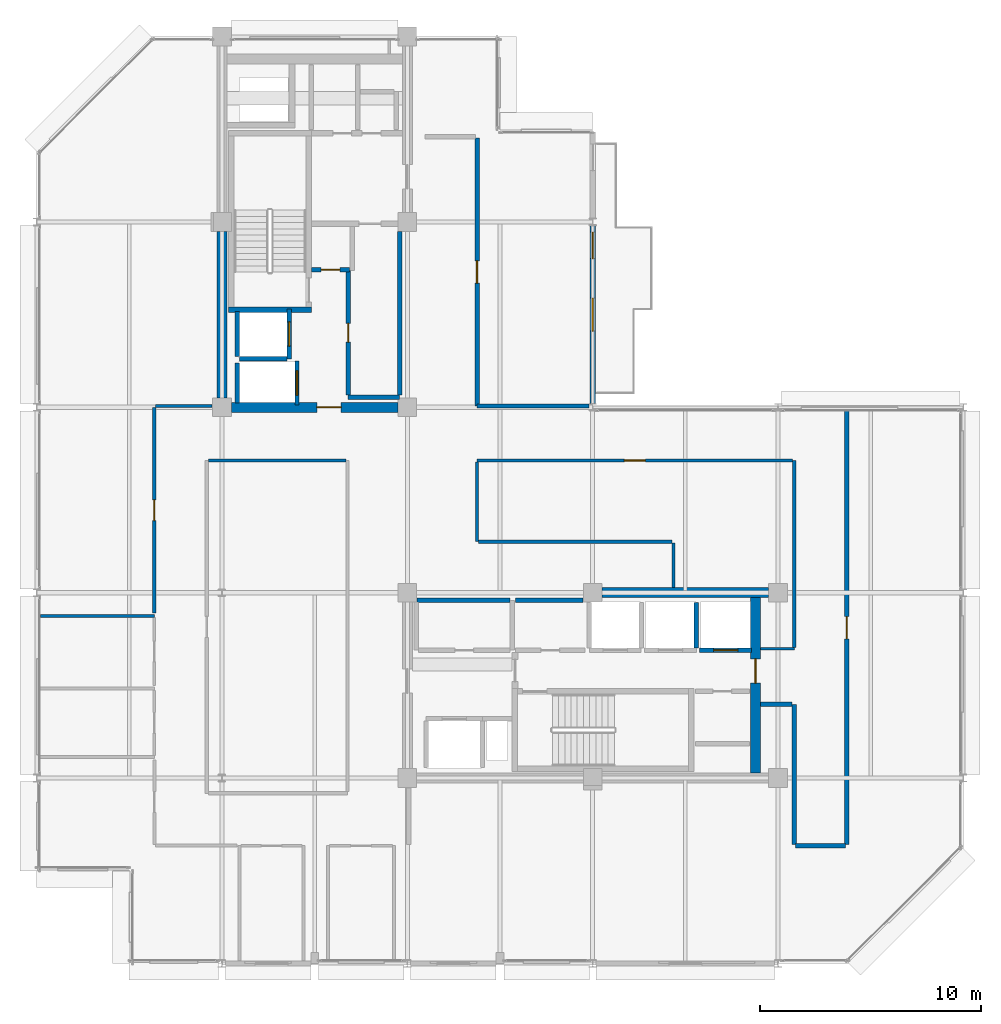
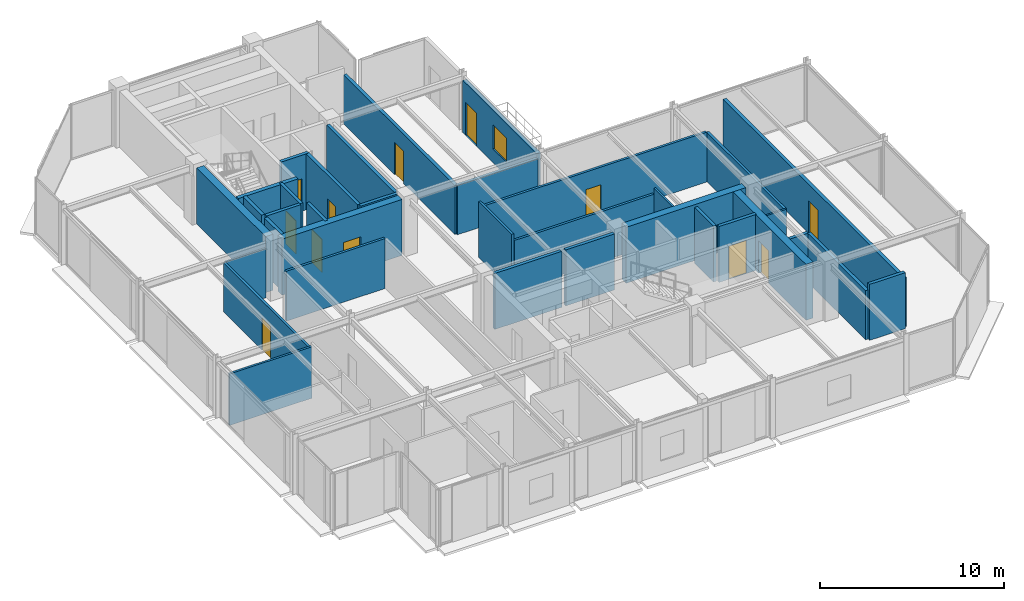
# One storey, part 22 of 27: 35 walls, 12 doors, 1 window, 13 openings.
"""IFC4 building model written with IfcOpenShell, lengths in metres."""

import ifcopenshell
import ifcopenshell.guid

model = None  # the IFC model being written
_history = None  # IfcOwnerHistory: only IFC2X3 demands one
_inside = {}  # id of a spatial element -> (the spatial element, [elements in it])
_under = {}  # id of a project, library or spatial element -> (it, [spatial elements below it])
_declared = {}  # id of a project -> (the project, [libraries it declares])
_typed = {}  # id of a type object -> (the type object, [elements of that type])
_made_of = {}  # id of a material, layer set ... -> (it, [elements and type objects made of it])


def new_model(schema):
    """Start an empty IFC model of exactly this schema.

    Asked for "IFC4X3", IfcOpenShell would pick the latest addendum, in which some entities
    have other attributes; the version numbers below select the first issue.
    IFC2X3 requires an IfcOwnerHistory on every rooted entity: one is made here for all.
    """
    global model, _history
    if schema == "IFC4X3":
        model = ifcopenshell.file(schema_version=(4, 3, 0, 0))
    else:
        model = ifcopenshell.file(schema=schema)
    _inside.clear()
    _under.clear()
    _declared.clear()
    _typed.clear()
    _made_of.clear()
    _history = None
    if model.schema == "IFC2X3":
        org = make("IfcOrganization", Name="unknown")
        user = make(
            "IfcPersonAndOrganization",
            ThePerson=make("IfcPerson", FamilyName="unknown"),
            TheOrganization=org,
        )
        app = make(
            "IfcApplication",
            ApplicationDeveloper=org,
            Version="unknown",
            ApplicationFullName="unknown",
            ApplicationIdentifier="unknown",
        )
        _history = make(
            "IfcOwnerHistory",
            OwningUser=user,
            OwningApplication=app,
            ChangeAction="ADDED",
            CreationDate=0,
        )
    return model


def make(cls, **values):
    """One entity of the class cls with the attributes given. An attribute that is None is left unset."""
    return model.create_entity(
        cls, **{name: value for name, value in values.items() if value is not None}
    )


def rooted(cls, **values):
    """An entity with a GlobalId (a new one), such as an element, a storey or a relation."""
    return make(cls, GlobalId=ifcopenshell.guid.new(), OwnerHistory=_history, **values)


def si_unit(unit_type, name, prefix=None):
    """IfcSIUnit, for example si_unit("LENGTHUNIT", "METRE", prefix="MILLI")."""
    return make("IfcSIUnit", UnitType=unit_type, Prefix=prefix, Name=name)


def assignment(units):
    """IfcUnitAssignment: the units of a project."""
    return None if units is None else make("IfcUnitAssignment", Units=units)


def point(xyz):
    """IfcCartesianPoint."""
    return None if xyz is None else make("IfcCartesianPoint", Coordinates=xyz)


def direction(xyz):
    """IfcDirection."""
    return None if xyz is None else make("IfcDirection", DirectionRatios=xyz)


def frame(location, z_axis=None, x_axis=None):
    """IfcAxis2Placement3D, a coordinate frame: its origin and axes. An axis left out is left unset."""
    return make(
        "IfcAxis2Placement3D",
        Location=point(location),
        Axis=direction(z_axis),
        RefDirection=direction(x_axis),
    )


def frame_2d(location, x_axis=None):
    """IfcAxis2Placement2D, a coordinate frame in the plane: its origin and x axis."""
    return make(
        "IfcAxis2Placement2D", Location=point(location), RefDirection=direction(x_axis)
    )


def origin():
    """The frame at (0, 0, 0) with its axes left unset."""
    return frame((0.0, 0.0, 0.0))


def place(relative_to, where):
    """IfcLocalPlacement: puts the frame where relative to a parent placement (None: the world)."""
    return make(
        "IfcLocalPlacement", PlacementRelTo=relative_to, RelativePlacement=where
    )


def context(
    kind, dimensions, precision=None, world=None, true_north=None, identifier=None
):
    """IfcGeometricRepresentationContext, for example the 3D "Model" context."""
    return make(
        "IfcGeometricRepresentationContext",
        ContextIdentifier=identifier,
        ContextType=kind,
        CoordinateSpaceDimension=dimensions,
        Precision=precision,
        WorldCoordinateSystem=world,
        TrueNorth=true_north,
    )


def subcontext(parent, identifier, kind, view, scale=None):
    """IfcGeometricRepresentationSubContext, for example "Body" below "Model"."""
    return make(
        "IfcGeometricRepresentationSubContext",
        ContextIdentifier=identifier,
        ContextType=kind,
        ParentContext=parent,
        TargetScale=scale,
        TargetView=view,
    )


def project(units=None, contexts=None):
    """IfcProject with its units and contexts."""
    return rooted(
        "IfcProject",
        Name="project",
        RepresentationContexts=contexts,
        UnitsInContext=assignment(units),
    )


def spatial(cls, under=None, at=None, **own):
    """A site, building, storey or space (cls), placed at a placement, below another one or the project."""
    s = rooted(cls, ObjectPlacement=at, **own)
    if under is not None:
        _under.setdefault(under.id(), (under, []))[1].append(s)
    return s


def profile(cls, at=None, kind="AREA", **sizes):
    """A parametric profile (cls). Its sizes go by their IFC names, for example OverallWidth=200.0."""
    return make(cls, ProfileType=kind, Position=at, **sizes)


def rectangle(**sizes):
    """IfcRectangleProfileDef."""
    return profile("IfcRectangleProfileDef", **sizes)


def extrude(swept, where, along, depth):
    """IfcExtrudedAreaSolid: the profile swept, set in the frame where, extruded along a direction by depth."""
    return make(
        "IfcExtrudedAreaSolid",
        SweptArea=swept,
        Position=where,
        ExtrudedDirection=direction(along),
        Depth=depth,
    )


def shape(context_of_items, identifier, shape_type, items):
    """IfcShapeRepresentation: the items that make up one representation, for example the "Body"."""
    return make(
        "IfcShapeRepresentation",
        ContextOfItems=context_of_items,
        RepresentationIdentifier=identifier,
        RepresentationType=shape_type,
        Items=items,
    )


def material(Name=None, Category=None):
    """IfcMaterial."""
    return make("IfcMaterial", Name=Name, Category=Category)


def layer(
    of_material, thickness, ventilated=None, Name=None, Category=None, Priority=None
):
    """IfcMaterialLayer: one layer of a wall or slab, of a material (None: an air gap)."""
    return make(
        "IfcMaterialLayer",
        Material=of_material,
        LayerThickness=thickness,
        IsVentilated=ventilated,
        Name=Name,
        Category=Category,
        Priority=Priority,
    )


def layer_set(layers, Name=None):
    """IfcMaterialLayerSet."""
    return make("IfcMaterialLayerSet", MaterialLayers=layers, LayerSetName=Name)


def made_of(thing, what):
    """Note that an element or type object is made of a material, layer set ...; save() writes the relation."""
    if what is not None:
        _made_of.setdefault(what.id(), (what, []))[1].append(thing)
    return thing


def type_object(cls, material=None, **own):
    """A type object (cls), such as IfcWallType, which elements share."""
    return made_of(rooted(cls, **own), material)


def element(
    cls,
    number,
    at=None,
    inside=None,
    cuts=None,
    type_object=None,
    material=None,
    context=None,
    identifier="Body",
    shape_type=None,
    held_by="IfcProductDefinitionShape",
    body=None,
    shapes=None,
    **own,
):
    """One element of the class cls, such as IfcWall. Its Tag is "e" and its number.

    at: its placement. inside: the storey or other place that contains it. cuts: it is an
    opening in that element (IfcRelVoidsElement). A single representation is given by context,
    identifier, shape_type and body (its items); several are given by shapes. held_by: the class
    of the entity that holds the representations. save() writes the other relations.
    """
    e = rooted(cls, Tag="e%d" % number, ObjectPlacement=at, **own)
    if body is not None:
        shapes = [shape(context, identifier, shape_type, body)]
    if shapes is not None:
        e.Representation = make(held_by, Representations=shapes)
    if inside is not None:
        _inside.setdefault(inside.id(), (inside, []))[1].append(e)
    if cuts is not None:
        rooted(
            "IfcRelVoidsElement", RelatingBuildingElement=cuts, RelatedOpeningElement=e
        )
    if type_object is not None:
        _typed.setdefault(type_object.id(), (type_object, []))[1].append(e)
    return made_of(e, material)


def fill(opening, filler):
    """IfcRelFillsElement: the door or window that sits in an opening."""
    return rooted(
        "IfcRelFillsElement",
        RelatingOpeningElement=opening,
        RelatedBuildingElement=filler,
    )


def aggregate(whole, parts):
    """IfcRelAggregates: a whole, such as a stair, and the parts it consists of."""
    return rooted("IfcRelAggregates", RelatingObject=whole, RelatedObjects=parts)


def save(model, path):
    """Write the relations noted so far, then the file.

    IfcRelAggregates (storeys below a building ...), IfcRelContainedInSpatialStructure (elements
    in a storey), IfcRelDefinesByType, IfcRelAssociatesMaterial and IfcRelDeclares: one each for
    every whole, place, type object, material and project.
    """
    for whole, parts in _under.values():
        aggregate(whole, parts)
    for where, things in _inside.values():
        rooted(
            "IfcRelContainedInSpatialStructure",
            RelatedElements=things,
            RelatingStructure=where,
        )
    for kind, things in _typed.values():
        rooted("IfcRelDefinesByType", RelatedObjects=things, RelatingType=kind)
    for what, things in _made_of.values():
        rooted("IfcRelAssociatesMaterial", RelatedObjects=things, RelatingMaterial=what)
    for by, libraries in _declared.values():
        rooted("IfcRelDeclares", RelatingContext=by, RelatedDefinitions=libraries)
    model.write(path)


model = new_model("IFC4")

# Units and contexts
model_context = context("Model", 3, precision=1e-05, world=origin(), true_north=direction((0.0, 1.0)))
body_context = subcontext(model_context, "Body", "Model", "MODEL_VIEW")
ifc_project = project(units=[si_unit("LENGTHUNIT", "METRE"), si_unit("AREAUNIT", "SQUARE_METRE"), si_unit("VOLUMEUNIT", "CUBIC_METRE"), si_unit("PLANEANGLEUNIT", "RADIAN"), si_unit("MASSUNIT", "GRAM", prefix="KILO")], contexts=[model_context])

# Site, building, storey
site_placement = place(None, origin())
site = spatial("IfcSite", under=ifc_project, at=site_placement, CompositionType="ELEMENT")
building_placement = place(site_placement, origin())
building = spatial("IfcBuilding", under=site, at=building_placement, Name="Nerrivon Quay Data Exchange", CompositionType="ELEMENT")
storey_placement = place(building_placement, frame((0.0, 0.0, 278.199951171875)))
storey = spatial("IfcBuildingStorey", under=building, at=storey_placement, Name="L66", CompositionType="ELEMENT", Elevation=278.199951171875)

# Wall, openings, door, window
ifc_material_1 = material(Name="Architectural terracotta precast concrete N50 (50 MPa)", Category="masonry")
ifc_layer_1 = layer(ifc_material_1, 0.239990234375)
ifc_layer_set_1 = layer_set([ifc_layer_1], Name="Architectural terracotta precast concrete N50 (50 MPa)")
wall_type_1 = type_object("IfcWallType", Name="EW-PREC-240", PredefinedType="STANDARD", material=ifc_layer_set_1)
wall_1_placement = place(storey_placement, frame((25.199951171875, 33.4365234375, 0.0), z_axis=(0.0, 0.0, 1.0), x_axis=(0.0, -1.0, 0.0)))
wall_1 = element("IfcWall", 1, at=wall_1_placement, inside=storey, type_object=wall_type_1, Name="L66 Terrace Host Wall 23", PredefinedType="STANDARD", context=body_context, shape_type="SweptSolid", body=[
    extrude(rectangle(XDim=8.072998046875, YDim=0.239990234375, at=frame_2d((4.03662109375, 0.0))), origin(), (0.0, 0.0, 1.0), 3.47509765625),
])
opening_1_placement = place(wall_1_placement, frame((0.300048828125, 0.0, 0.0)))
opening_1 = element("IfcOpeningElement", 2, at=opening_1_placement, cuts=wall_1, Name="Opening TD1", PredefinedType="OPENING", context=body_context, shape_type="SweptSolid", body=[
    extrude(rectangle(XDim=1.199951171875, YDim=2.199951171875, at=frame_2d((0.60009765625, 1.10009765625))), frame((0.0, 0.1298828125, 0.0), z_axis=(0.0, -1.0, 0.0), x_axis=(1.0, 0.0, 0.0)), (0.0, 0.0, 1.0), 0.260009765625),
])
opening_2_placement = place(wall_1_placement, frame((3.28662109375, 0.0, 0.89990234375)))
opening_2 = element("IfcOpeningElement", 3, at=opening_2_placement, cuts=wall_1, Name="Opening WN4", PredefinedType="OPENING", context=body_context, shape_type="SweptSolid", body=[
    extrude(rectangle(XDim=1.5, YDim=1.60009765625, at=frame_2d((0.75, 0.800048828125))), frame((0.0, 0.1298828125, 0.0), z_axis=(0.0, -1.0, 0.0), x_axis=(1.0, 0.0, 0.0)), (0.0, 0.0, 1.0), 0.260009765625),
])
ifc_material_2 = material(Name="Double-glazed low-E solar control glass", Category="glass")
door_type_1 = type_object("IfcDoorType", Name="DR-TERR-1200x2200", OperationType="NOTDEFINED", PredefinedType="DOOR", material=ifc_material_2)
door_1_placement = place(opening_1_placement, origin())
door_1 = element("IfcDoor", 4, at=door_1_placement, inside=storey, type_object=door_type_1, Name="L66 Outdoor Terrace Access Door 23", OperationType="SINGLE_SWING_RIGHT", OverallHeight=2.199951171875, OverallWidth=1.199951171875, PredefinedType="DOOR", context=body_context, shape_type="SweptSolid", body=[
    extrude(rectangle(XDim=1.199951171875, YDim=2.199951171875, at=frame_2d((0.60009765625, 1.10009765625))), frame((0.0, 0.02490234375, 0.0), z_axis=(0.0, -1.0, 0.0), x_axis=(1.0, 0.0, 0.0)), (0.0, 0.0, 1.0), 0.050048828125),
])
fill(opening_1, door_1)
window_type = type_object("IfcWindowType", Name="WIN-W4-1500x1600", PartitioningType="SINGLE_PANEL", PredefinedType="WINDOW", material=ifc_material_2)
window_placement = place(opening_2_placement, origin())
window = element("IfcWindow", 5, at=window_placement, inside=storey, type_object=window_type, Name="L66 Terrace Side Window 23", OverallHeight=1.60009765625, OverallWidth=1.5, PartitioningType="SINGLE_PANEL", PredefinedType="WINDOW", context=body_context, shape_type="SweptSolid", body=[
    extrude(rectangle(XDim=1.5, YDim=1.60009765625, at=frame_2d((0.75, 0.800048828125))), frame((0.0, 0.030029296875, 0.0), z_axis=(0.0, -1.0, 0.0), x_axis=(1.0, 0.0, 0.0)), (0.0, 0.0, 1.0), 0.06005859375),
])
fill(opening_2, window)

# Wall
ifc_material_3 = material(Name="Concrete N50 (50 MPa)", Category="concrete")
ifc_layer_2 = layer(ifc_material_3, 0.449951171875)
ifc_layer_set_2 = layer_set([ifc_layer_2], Name="Concrete N50 (50 MPa)")
wall_type_2 = type_object("IfcWallType", Name="WALL-CW-550", PredefinedType="SHEAR", material=ifc_layer_set_2)
wall_2_placement = place(storey_placement, frame((8.39990234375, 25.625, 0.0), z_axis=(0.0, 0.0, 1.0), x_axis=(0.0, 1.0, 0.0)))
element("IfcWall", 6, at=wall_2_placement, inside=storey, type_object=wall_type_2, Name="L66 West Split-Core Shear Wall WCW-W1", PredefinedType="SHEAR", context=body_context, shape_type="SweptSolid", body=[
    extrude(rectangle(XDim=7.550048828125, YDim=0.449951171875, at=frame_2d((3.77490234375, 0.0))), origin(), (0.0, 0.0, 1.0), 3.72509765625),
])

# Wall, opening, door
wall_3_placement = place(storey_placement, frame((8.824951171875, 25.199951171875, 0.0), z_axis=(0.0, 0.0, 1.0), x_axis=(1.0, 0.0, 0.0)))
wall_3 = element("IfcWall", 7, at=wall_3_placement, inside=storey, type_object=wall_type_2, Name="L66 West Split-Core Shear Wall WCW-S1", PredefinedType="SHEAR", context=body_context, shape_type="SweptSolid", body=[
    extrude(rectangle(XDim=7.550048828125, YDim=0.449951171875, at=frame_2d((3.77490234375, 0.0))), origin(), (0.0, 0.0, 1.0), 3.72509765625),
])
opening_3_placement = place(wall_3_placement, frame((3.875, 0.0, 0.0)))
opening_3 = element("IfcOpeningElement", 8, at=opening_3_placement, cuts=wall_3, Name="Opening FD-120", PredefinedType="OPENING", context=body_context, shape_type="SweptSolid", body=[
    extrude(rectangle(XDim=1.10009765625, YDim=2.14990234375, at=frame_2d((0.550048828125, 1.074951171875))), frame((0.0, 0.23486328125, 0.0), z_axis=(0.0, -1.0, 0.0), x_axis=(1.0, 0.0, 0.0)), (0.0, 0.0, 1.0), 0.469970703125),
])
ifc_material_4 = material(Name="Powder-coated galvanized steel sheet", Category="steel")
door_type_2 = type_object("IfcDoorType", Name="DR-FD120-1100", OperationType="NOTDEFINED", PredefinedType="DOOR", material=ifc_material_4)
door_2_placement = place(opening_3_placement, origin())
door_2 = element("IfcDoor", 9, at=door_2_placement, inside=storey, type_object=door_type_2, Name="L66 West Core Lobby Fire Door", OperationType="SINGLE_SWING_LEFT", OverallHeight=2.14990234375, OverallWidth=1.10009765625, PredefinedType="DOOR", context=body_context, shape_type="SweptSolid", body=[
    extrude(rectangle(XDim=1.10009765625, YDim=2.14990234375, at=frame_2d((0.550048828125, 1.074951171875))), frame((0.0, 0.02490234375, 0.0), z_axis=(0.0, -1.0, 0.0), x_axis=(1.0, 0.0, 0.0)), (0.0, 0.0, 1.0), 0.050048828125),
])
fill(opening_3, door_2)

wall_4_placement = place(storey_placement, frame((32.574951171875, 8.625, 0.0), z_axis=(0.0, 0.0, 1.0), x_axis=(0.0, 1.0, 0.0)))
wall_4 = element("IfcWall", 10, at=wall_4_placement, inside=storey, type_object=wall_type_2, Name="L66 East Split-Core Shear Wall ECW-E1", PredefinedType="SHEAR", context=body_context, shape_type="SweptSolid", body=[
    extrude(rectangle(XDim=7.949951171875, YDim=0.449951171875, at=frame_2d((3.97509765625, 0.0))), origin(), (0.0, 0.0, 1.0), 3.72509765625),
])
opening_4_placement = place(wall_4_placement, frame((4.074951171875, 0.0, 0.0)))
opening_4 = element("IfcOpeningElement", 11, at=opening_4_placement, cuts=wall_4, Name="Opening FD-120", PredefinedType="OPENING", context=body_context, shape_type="SweptSolid", body=[
    extrude(rectangle(XDim=1.10009765625, YDim=2.14990234375, at=frame_2d((0.550048828125, 1.074951171875))), frame((0.0, 0.23486328125, 0.0), z_axis=(0.0, -1.0, 0.0), x_axis=(1.0, 0.0, 0.0)), (0.0, 0.0, 1.0), 0.469970703125),
])
door_3_placement = place(opening_4_placement, origin())
door_3 = element("IfcDoor", 12, at=door_3_placement, inside=storey, type_object=door_type_2, Name="L66 East Core Lobby Fire Door", OperationType="SINGLE_SWING_RIGHT", OverallHeight=2.14990234375, OverallWidth=1.10009765625, PredefinedType="DOOR", context=body_context, shape_type="SweptSolid", body=[
    extrude(rectangle(XDim=1.10009765625, YDim=2.14990234375, at=frame_2d((0.550048828125, 1.074951171875))), frame((0.0, 0.02490234375, 0.0), z_axis=(0.0, -1.0, 0.0), x_axis=(1.0, 0.0, 0.0)), (0.0, 0.0, 1.0), 0.050048828125),
])
fill(opening_4, door_3)

# Wall
wall_5_placement = place(storey_placement, frame((25.625, 16.800048828125, 0.0), z_axis=(0.0, 0.0, 1.0), x_axis=(1.0, 0.0, 0.0)))
element("IfcWall", 13, at=wall_5_placement, inside=storey, type_object=wall_type_2, Name="L66 East Split-Core Shear Wall ECW-N1", PredefinedType="SHEAR", context=body_context, shape_type="SweptSolid", body=[
    extrude(rectangle(XDim=7.550048828125, YDim=0.449951171875, at=frame_2d((3.77490234375, 0.0))), origin(), (0.0, 0.0, 1.0), 3.72509765625),
])

# Wall, opening, door
ifc_material_5 = material(Name="Gypsum plasterboard on cold-formed framing", Category="gypsum")
ifc_layer_3 = layer(ifc_material_5, 0.199951171875)
ifc_layer_set_3 = layer_set([ifc_layer_3], Name="Gypsum plasterboard on cold-formed framing")
wall_type_3 = type_object("IfcWallType", Name="WALL-FW-200", PredefinedType="PARTITIONING", material=ifc_layer_set_3)
wall_6_placement = place(storey_placement, frame((11.449951171875, 27.39990234375, 0.0), z_axis=(0.0, 0.0, 1.0), x_axis=(0.0, 1.0, 0.0)))
wall_6 = element("IfcWall", 14, at=wall_6_placement, inside=storey, type_object=wall_type_3, Name="L66 Lift Front Wall FFL-1", PredefinedType="PARTITIONING", context=body_context, shape_type="SweptSolid", body=[
    extrude(rectangle(XDim=2.25, YDim=0.199951171875, at=frame_2d((1.125, 0.0))), origin(), (0.0, 0.0, 1.0), 3.72509765625),
])
opening_5_placement = place(wall_6_placement, frame((0.574951171875, 0.0, 0.0)))
opening_5 = element("IfcOpeningElement", 15, at=opening_5_placement, cuts=wall_6, Name="Opening LD-120", PredefinedType="OPENING", context=body_context, shape_type="SweptSolid", body=[
    extrude(rectangle(XDim=1.10009765625, YDim=2.199951171875, at=frame_2d((0.550048828125, 1.10009765625))), frame((0.0, 0.10986328125, 0.0), z_axis=(0.0, -1.0, 0.0), x_axis=(1.0, 0.0, 0.0)), (0.0, 0.0, 1.0), 0.219970703125),
])
door_type_3 = type_object("IfcDoorType", Name="DR-LIFT-LD120", OperationType="DOUBLE_DOOR_SLIDING", PredefinedType="DOOR", material=ifc_material_4)
door_4_placement = place(opening_5_placement, origin())
door_4 = element("IfcDoor", 16, at=door_4_placement, inside=storey, type_object=door_type_3, Name="L66 Lift Landing Sliding Door FFL-1", OperationType="DOUBLE_DOOR_SLIDING", OverallHeight=2.199951171875, OverallWidth=1.10009765625, PredefinedType="DOOR", context=body_context, shape_type="SweptSolid", body=[
    extrude(rectangle(XDim=1.10009765625, YDim=2.199951171875, at=frame_2d((0.550048828125, 1.10009765625))), frame((0.0, 0.02490234375, 0.0), z_axis=(0.0, -1.0, 0.0), x_axis=(1.0, 0.0, 0.0)), (0.0, 0.0, 1.0), 0.050048828125),
])
fill(opening_5, door_4)

# Walls
wall_7_placement = place(storey_placement, frame((9.10009765625, 27.5, 0.0), z_axis=(0.0, 0.0, 1.0), x_axis=(0.0, 1.0, 0.0)))
element("IfcWall", 17, at=wall_7_placement, inside=storey, type_object=wall_type_3, Name="L66 Lift Shaft Wall FFL-1 WEST", PredefinedType="PARTITIONING", context=body_context, shape_type="SweptSolid", body=[
    extrude(rectangle(XDim=2.050048828125, YDim=0.199951171875, at=frame_2d((1.02490234375, 0.0))), origin(), (0.0, 0.0, 1.0), 3.72509765625),
])
wall_8_placement = place(storey_placement, frame((9.199951171875, 27.39990234375, 0.0), z_axis=(0.0, 0.0, 1.0), x_axis=(1.0, 0.0, 0.0)))
element("IfcWall", 18, at=wall_8_placement, inside=storey, type_object=wall_type_3, Name="L66 Lift Shaft Wall FFL-1 SOUTH", PredefinedType="PARTITIONING", context=body_context, shape_type="SweptSolid", body=[
    extrude(rectangle(XDim=2.150146484375, YDim=0.199951171875, at=frame_2d((1.0751953125, 0.0))), origin(), (0.0, 0.0, 1.0), 3.72509765625),
])

# Wall, opening, door
wall_9_placement = place(storey_placement, frame((11.800048828125, 25.300048828125, 0.0), z_axis=(0.0, 0.0, 1.0), x_axis=(0.0, 1.0, 0.0)))
wall_9 = element("IfcWall", 19, at=wall_9_placement, inside=storey, type_object=wall_type_3, Name="L66 Lift Front Wall SVL-1", PredefinedType="PARTITIONING", context=body_context, shape_type="SweptSolid", body=[
    extrude(rectangle(XDim=2.0, YDim=0.199951171875, at=frame_2d((1.0, 0.0))), origin(), (0.0, 0.0, 1.0), 3.72509765625),
])
opening_6_placement = place(wall_9_placement, frame((0.449951171875, 0.0, 0.0)))
opening_6 = element("IfcOpeningElement", 20, at=opening_6_placement, cuts=wall_9, Name="Opening LD-120", PredefinedType="OPENING", context=body_context, shape_type="SweptSolid", body=[
    extrude(rectangle(XDim=1.10009765625, YDim=2.199951171875, at=frame_2d((0.550048828125, 1.10009765625))), frame((0.0, 0.10986328125, 0.0), z_axis=(0.0, -1.0, 0.0), x_axis=(1.0, 0.0, 0.0)), (0.0, 0.0, 1.0), 0.219970703125),
])
door_5_placement = place(opening_6_placement, origin())
door_5 = element("IfcDoor", 21, at=door_5_placement, inside=storey, type_object=door_type_3, Name="L66 Lift Landing Sliding Door SVL-1", OperationType="DOUBLE_DOOR_SLIDING", OverallHeight=2.199951171875, OverallWidth=1.10009765625, PredefinedType="DOOR", context=body_context, shape_type="SweptSolid", body=[
    extrude(rectangle(XDim=1.10009765625, YDim=2.199951171875, at=frame_2d((0.550048828125, 1.10009765625))), frame((0.0, 0.02490234375, 0.0), z_axis=(0.0, -1.0, 0.0), x_axis=(1.0, 0.0, 0.0)), (0.0, 0.0, 1.0), 0.050048828125),
])
fill(opening_6, door_5)

# Walls
wall_10_placement = place(storey_placement, frame((9.10009765625, 25.39990234375, 0.0), z_axis=(0.0, 0.0, 1.0), x_axis=(0.0, 1.0, 0.0)))
element("IfcWall", 22, at=wall_10_placement, inside=storey, type_object=wall_type_3, Name="L66 Lift Shaft Wall SVL-1 WEST", PredefinedType="PARTITIONING", context=body_context, shape_type="SweptSolid", body=[
    extrude(rectangle(XDim=1.800048828125, YDim=0.199951171875, at=frame_2d((0.89990234375, 0.0))), origin(), (0.0, 0.0, 1.0), 3.72509765625),
])
wall_11_placement = place(storey_placement, frame((29.89990234375, 14.300048828125, 0.0), z_axis=(0.0, 0.0, 1.0), x_axis=(0.0, 1.0, 0.0)))
element("IfcWall", 23, at=wall_11_placement, inside=storey, type_object=wall_type_3, Name="L66 Lift Shaft Wall PL8 EAST", PredefinedType="PARTITIONING", context=body_context, shape_type="SweptSolid", body=[
    extrude(rectangle(XDim=2.050048828125, YDim=0.199951171875, at=frame_2d((1.02490234375, 0.0))), origin(), (0.0, 0.0, 1.0), 3.72509765625),
])

# Wall, opening, door
wall_12_placement = place(storey_placement, frame((30.050048828125, 14.199951171875, 0.0), z_axis=(0.0, 0.0, 1.0), x_axis=(1.0, 0.0, 0.0)))
wall_12 = element("IfcWall", 24, at=wall_12_placement, inside=storey, type_object=wall_type_3, Name="L66 Lift Front Wall PL9", PredefinedType="PARTITIONING", context=body_context, shape_type="SweptSolid", body=[
    extrude(rectangle(XDim=2.349853515625, YDim=0.199951171875, at=frame_2d((1.1748046875, 0.0))), origin(), (0.0, 0.0, 1.0), 3.72509765625),
])
opening_7_placement = place(wall_12_placement, frame((0.625, 0.0, 0.0)))
opening_7 = element("IfcOpeningElement", 25, at=opening_7_placement, cuts=wall_12, Name="Opening LD-120", PredefinedType="OPENING", context=body_context, shape_type="SweptSolid", body=[
    extrude(rectangle(XDim=1.10009765625, YDim=2.199951171875, at=frame_2d((0.550048828125, 1.10009765625))), frame((0.0, 0.10986328125, 0.0), z_axis=(0.0, -1.0, 0.0), x_axis=(1.0, 0.0, 0.0)), (0.0, 0.0, 1.0), 0.219970703125),
])
door_6_placement = place(opening_7_placement, origin())
door_6 = element("IfcDoor", 26, at=door_6_placement, inside=storey, type_object=door_type_3, Name="L66 Lift Landing Sliding Door PL9", OperationType="DOUBLE_DOOR_SLIDING", OverallHeight=2.199951171875, OverallWidth=1.10009765625, PredefinedType="DOOR", context=body_context, shape_type="SweptSolid", body=[
    extrude(rectangle(XDim=1.10009765625, YDim=2.199951171875, at=frame_2d((0.550048828125, 1.10009765625))), frame((0.0, 0.02490234375, 0.0), z_axis=(0.0, -1.0, 0.0), x_axis=(1.0, 0.0, 0.0)), (0.0, 0.0, 1.0), 0.050048828125),
])
fill(opening_7, door_6)

# Walls
wall_13_placement = place(storey_placement, frame((14.1201171875, 25.64990234375, 0.0), z_axis=(0.0, 0.0, 1.0), x_axis=(1.0, 0.0, 0.0)))
element("IfcWall", 27, at=wall_13_placement, inside=storey, type_object=wall_type_3, Name="L66 Partition Core Equipment Store", PredefinedType="PARTITIONING", context=body_context, shape_type="SweptSolid", body=[
    extrude(rectangle(XDim=2.329833984375, YDim=0.199951171875, at=frame_2d((1.1650390625, 0.0))), origin(), (0.0, 0.0, 1.0), 3.72509765625),
])
wall_14_placement = place(storey_placement, frame((16.449951171875, 25.75390625, 0.0), z_axis=(0.0, 0.0, 1.0), x_axis=(0.0, 1.0, 0.0)))
element("IfcWall", 28, at=wall_14_placement, inside=storey, type_object=wall_type_3, Name="L66 Partition Core Equipment Store", PredefinedType="PARTITIONING", context=body_context, shape_type="SweptSolid", body=[
    extrude(rectangle(XDim=7.416015625, YDim=0.199951171875, at=frame_2d((3.7080078125, 0.0))), origin(), (0.0, 0.0, 1.0), 3.72509765625),
])

# Wall, opening, door
wall_15_placement = place(storey_placement, frame((14.1201171875, 31.39990234375, 0.0), z_axis=(0.0, 0.0, 1.0), x_axis=(0.0, -1.0, 0.0)))
wall_15 = element("IfcWall", 29, at=wall_15_placement, inside=storey, type_object=wall_type_3, Name="L66 Partition Core Equipment Store", PredefinedType="PARTITIONING", context=body_context, shape_type="SweptSolid", body=[
    extrude(rectangle(XDim=5.64599609375, YDim=0.199951171875, at=frame_2d((2.822998046875, 0.0))), origin(), (0.0, 0.0, 1.0), 3.72509765625),
])
opening_8_placement = place(wall_15_placement, frame((2.39794921875, 0.0, 0.0)))
opening_8 = element("IfcOpeningElement", 30, at=opening_8_placement, cuts=wall_15, Name="Opening FD-60S", PredefinedType="OPENING", context=body_context, shape_type="SweptSolid", body=[
    extrude(rectangle(XDim=0.85009765625, YDim=2.14990234375, at=frame_2d((0.425048828125, 1.074951171875))), frame((0.0, 0.10986328125, 0.0), z_axis=(0.0, -1.0, 0.0), x_axis=(1.0, 0.0, 0.0)), (0.0, 0.0, 1.0), 0.219970703125),
])
ifc_material_6 = material(Name="Engineered hardwood timber", Category="wood")
door_type_4 = type_object("IfcDoorType", Name="DR-FD60-850", OperationType="NOTDEFINED", PredefinedType="DOOR", material=ifc_material_6)
door_7_placement = place(opening_8_placement, origin())
door_7 = element("IfcDoor", 31, at=door_7_placement, inside=storey, type_object=door_type_4, Name="L66 Door Core Equipment Store", OperationType="SINGLE_SWING_RIGHT", OverallHeight=2.14990234375, OverallWidth=0.85009765625, PredefinedType="DOOR", context=body_context, shape_type="SweptSolid", body=[
    extrude(rectangle(XDim=0.85009765625, YDim=2.14990234375, at=frame_2d((0.425048828125, 1.074951171875))), frame((0.0, 0.02490234375, 0.0), z_axis=(0.0, -1.0, 0.0), x_axis=(1.0, 0.0, 0.0)), (0.0, 0.0, 1.0), 0.050048828125),
])
fill(opening_8, door_7)

wall_16_placement = place(storey_placement, frame((12.4541015625, 31.43994140625, 0.0), z_axis=(0.0, 0.0, 1.0), x_axis=(1.0, 0.0, 0.0)))
wall_16 = element("IfcWall", 32, at=wall_16_placement, inside=storey, type_object=wall_type_3, Name="L66 Partition Optical Patch Closet", PredefinedType="PARTITIONING", context=body_context, shape_type="SweptSolid", body=[
    extrude(rectangle(XDim=1.725830078125, YDim=0.199951171875, at=frame_2d((0.86279296875, 0.0))), origin(), (0.0, 0.0, 1.0), 3.72509765625),
])
opening_9_placement = place(wall_16_placement, frame((0.43798828125, 0.0, 0.0)))
opening_9 = element("IfcOpeningElement", 33, at=opening_9_placement, cuts=wall_16, Name="Opening FD-60S", PredefinedType="OPENING", context=body_context, shape_type="SweptSolid", body=[
    extrude(rectangle(XDim=0.85009765625, YDim=2.14990234375, at=frame_2d((0.425048828125, 1.074951171875))), frame((0.0, 0.10986328125, 0.0), z_axis=(0.0, -1.0, 0.0), x_axis=(1.0, 0.0, 0.0)), (0.0, 0.0, 1.0), 0.219970703125),
])
door_8_placement = place(opening_9_placement, origin())
door_8 = element("IfcDoor", 34, at=door_8_placement, inside=storey, type_object=door_type_4, Name="L66 Door Optical Patch Closet", OperationType="SINGLE_SWING_LEFT", OverallHeight=2.14990234375, OverallWidth=0.85009765625, PredefinedType="DOOR", context=body_context, shape_type="SweptSolid", body=[
    extrude(rectangle(XDim=0.85009765625, YDim=2.14990234375, at=frame_2d((0.425048828125, 1.074951171875))), frame((0.0, 0.02490234375, 0.0), z_axis=(0.0, -1.0, 0.0), x_axis=(1.0, 0.0, 0.0)), (0.0, 0.0, 1.0), 0.050048828125),
])
fill(opening_9, door_8)

# Walls
wall_17_placement = place(storey_placement, frame((21.446044921875, 16.449951171875, 0.0), z_axis=(0.0, 0.0, 1.0), x_axis=(-1.0, 0.0, 0.0)))
element("IfcWall", 35, at=wall_17_placement, inside=storey, type_object=wall_type_3, Name="L66 Partition High-Zone Calibration Store", PredefinedType="PARTITIONING", context=body_context, shape_type="SweptSolid", body=[
    extrude(rectangle(XDim=4.216064453125, YDim=0.199951171875, at=frame_2d((2.10791015625, 0.0))), origin(), (0.0, 0.0, 1.0), 3.72509765625),
])
wall_18_placement = place(storey_placement, frame((24.77001953125, 16.449951171875, 0.0), z_axis=(0.0, 0.0, 1.0), x_axis=(-1.0, 0.0, 0.0)))
element("IfcWall", 36, at=wall_18_placement, inside=storey, type_object=wall_type_3, Name="L66 Partition High-Zone Network Closet", PredefinedType="PARTITIONING", context=body_context, shape_type="SweptSolid", body=[
    extrude(rectangle(XDim=3.070068359375, YDim=0.199951171875, at=frame_2d((1.53515625, 0.0))), origin(), (0.0, 0.0, 1.0), 3.72509765625),
])

# Wall, opening, door
wall_19_placement = place(storey_placement, frame((36.7099609375, 25.031005859375, 0.0), z_axis=(0.0, 0.0, 1.0), x_axis=(-1.2432708e-05, -0.999999999923, 0.0)))
wall_19 = element("IfcWall", 37, at=wall_19_placement, inside=storey, type_object=wall_type_3, Name="L66 Partition Colocation Data Workspace 1", PredefinedType="PARTITIONING", context=body_context, shape_type="SweptSolid", body=[
    extrude(rectangle(XDim=19.636962890625, YDim=0.199951171875, at=frame_2d((9.818359375, 0.0))), origin(), (0.0, 0.0, 1.0), 3.27099609375),
])
opening_10_placement = place(wall_19_placement, frame((9.318603515625, 0.0, 0.0)))
opening_10 = element("IfcOpeningElement", 38, at=opening_10_placement, cuts=wall_19, Name="Opening FD-60", PredefinedType="OPENING", context=body_context, shape_type="SweptSolid", body=[
    extrude(rectangle(XDim=1.0, YDim=2.14990234375, at=frame_2d((0.5, 1.074951171875))), frame((0.0, 0.10986328125, 0.0), z_axis=(0.0, -1.0, 0.0), x_axis=(1.0, 0.0, 0.0)), (0.0, 0.0, 1.0), 0.219970703125),
])
door_type_5 = type_object("IfcDoorType", Name="DR-FD60-1000", OperationType="NOTDEFINED", PredefinedType="DOOR", material=ifc_material_6)
door_9_placement = place(opening_10_placement, origin())
door_9 = element("IfcDoor", 39, at=door_9_placement, inside=storey, type_object=door_type_5, Name="L66 Door Colocation Data Workspace 1", OperationType="SINGLE_SWING_LEFT", OverallHeight=2.14990234375, OverallWidth=1.0, PredefinedType="DOOR", context=body_context, shape_type="SweptSolid", body=[
    extrude(rectangle(XDim=1.0, YDim=2.14990234375, at=frame_2d((0.5, 1.074951171875))), frame((0.0, 0.02490234375, 0.0), z_axis=(0.0, -1.0, 0.0), x_axis=(1.0, 0.0, 0.0)), (0.0, 0.0, 1.0), 0.050048828125),
])
fill(opening_10, door_9)

# Walls
wall_20_placement = place(storey_placement, frame((36.64990234375, 5.340087890625, 0.0), z_axis=(0.0, 0.0, 1.0), x_axis=(-1.0, 0.0, 0.0)))
element("IfcWall", 40, at=wall_20_placement, inside=storey, type_object=wall_type_3, Name="L66 Partition Colocation Data Workspace 1", PredefinedType="PARTITIONING", context=body_context, shape_type="SweptSolid", body=[
    extrude(rectangle(XDim=2.25, YDim=0.199951171875, at=frame_2d((1.125, 0.0))), origin(), (0.0, 0.0, 1.0), 3.72509765625),
])
wall_21_placement = place(storey_placement, frame((34.340087890625, 5.39990234375, 0.0), z_axis=(0.0, 0.0, 1.0), x_axis=(0.0, 1.0, 0.0)))
element("IfcWall", 41, at=wall_21_placement, inside=storey, type_object=wall_type_3, Name="L66 Partition Colocation Data Workspace 1", PredefinedType="PARTITIONING", context=body_context, shape_type="SweptSolid", body=[
    extrude(rectangle(XDim=6.340087890625, YDim=0.199951171875, at=frame_2d((3.169921875, 0.0))), origin(), (0.0, 0.0, 1.0), 3.27099609375),
])
wall_22_placement = place(storey_placement, frame((34.236083984375, 11.739990234375, 0.0), z_axis=(0.0, 0.0, 1.0), x_axis=(-1.0, 0.0, 0.0)))
element("IfcWall", 42, at=wall_22_placement, inside=storey, type_object=wall_type_3, Name="L66 Partition Colocation Data Workspace 1", PredefinedType="PARTITIONING", context=body_context, shape_type="SweptSolid", body=[
    extrude(rectangle(XDim=1.43212890625, YDim=0.199951171875, at=frame_2d((0.716064453125, 0.0))), origin(), (0.0, 0.0, 1.0), 3.319091796875),
])

# Wall, opening, door
wall_23_placement = place(storey_placement, frame((19.9599609375, 37.39990234375, 0.0), z_axis=(0.0, 0.0, 1.0), x_axis=(0.0, -1.0, 0.0)))
wall_23 = element("IfcWall", 43, at=wall_23_placement, inside=storey, type_object=wall_type_3, Name="L66 Partition Colocation Data Workspace 1", PredefinedType="PARTITIONING", context=body_context, shape_type="SweptSolid", body=[
    extrude(rectangle(XDim=12.139892578125, YDim=0.199951171875, at=frame_2d((6.06982421875, 0.0))), origin(), (0.0, 0.0, 1.0), 3.27099609375),
])
opening_11_placement = place(wall_23_placement, frame((5.570068359375, 0.0, 0.0)))
opening_11 = element("IfcOpeningElement", 44, at=opening_11_placement, cuts=wall_23, Name="Opening FD-60", PredefinedType="OPENING", context=body_context, shape_type="SweptSolid", body=[
    extrude(rectangle(XDim=1.0, YDim=2.14990234375, at=frame_2d((0.5, 1.074951171875))), frame((0.0, 0.10986328125, 0.0), z_axis=(0.0, -1.0, 0.0), x_axis=(1.0, 0.0, 0.0)), (0.0, 0.0, 1.0), 0.219970703125),
])
door_10_placement = place(opening_11_placement, origin())
door_10 = element("IfcDoor", 45, at=door_10_placement, inside=storey, type_object=door_type_5, Name="L66 Door Colocation Data Workspace 1", OperationType="SINGLE_SWING_RIGHT", OverallHeight=2.14990234375, OverallWidth=1.0, PredefinedType="DOOR", context=body_context, shape_type="SweptSolid", body=[
    extrude(rectangle(XDim=1.0, YDim=2.14990234375, at=frame_2d((0.5, 1.074951171875))), frame((0.0, 0.02490234375, 0.0), z_axis=(0.0, -1.0, 0.0), x_axis=(1.0, 0.0, 0.0)), (0.0, 0.0, 1.0), 0.050048828125),
])
fill(opening_11, door_10)

# Walls
wall_24_placement = place(storey_placement, frame((19.9599609375, 25.260009765625, 0.0), z_axis=(0.0, 0.0, 1.0), x_axis=(0.999999995352, -9.641342e-05, 0.0)))
element("IfcWall", 46, at=wall_24_placement, inside=storey, type_object=wall_type_3, Name="L66 Partition Colocation Data Workspace 1", PredefinedType="PARTITIONING", context=body_context, shape_type="SweptSolid", body=[
    extrude(rectangle(XDim=5.064453125, YDim=0.199951171875, at=frame_2d((2.5322265625, 0.0))), origin(), (0.0, 0.0, 1.0), 3.27099609375),
])
ifc_layer_4 = layer(ifc_material_5, 0.1201171875)
ifc_layer_set_4 = layer_set([ifc_layer_4], Name="Gypsum plasterboard on cold-formed framing")
wall_type_4 = type_object("IfcWallType", Name="WALL-PT-120", PredefinedType="PARTITIONING", material=ifc_layer_set_4)
wall_25_placement = place(storey_placement, frame((28.860107421875, 19.050048828125, 0.0), z_axis=(0.0, 0.0, 1.0), x_axis=(0.0, -1.0, 0.0)))
element("IfcWall", 47, at=wall_25_placement, inside=storey, type_object=wall_type_4, Name="L66 Partition Quiet Reading Room", PredefinedType="PARTITIONING", context=body_context, shape_type="SweptSolid", body=[
    extrude(rectangle(XDim=2.02099609375, YDim=0.1201171875, at=frame_2d((1.010498046875, 0.0))), origin(), (0.0, 0.0, 1.0), 3.72509765625),
])
wall_26_placement = place(storey_placement, frame((32.803955078125, 14.260009765625, 0.0), z_axis=(0.0, 0.0, 1.0), x_axis=(1.0, 0.0, 0.0)))
element("IfcWall", 48, at=wall_26_placement, inside=storey, type_object=wall_type_4, Name="L66 Partition Quiet Reading Room", PredefinedType="PARTITIONING", context=body_context, shape_type="SweptSolid", body=[
    extrude(rectangle(XDim=1.5361328125, YDim=0.1201171875, at=frame_2d((0.76806640625, 0.0))), origin(), (0.0, 0.0, 1.0), 3.319091796875),
])
wall_27_placement = place(storey_placement, frame((5.39990234375, 25.260009765625, 0.0), z_axis=(0.0, 0.0, 1.0), x_axis=(1.0, 0.0, 0.0)))
element("IfcWall", 49, at=wall_27_placement, inside=storey, type_object=wall_type_4, Name="L66 Partition Technical Library", PredefinedType="PARTITIONING", context=body_context, shape_type="SweptSolid", body=[
    extrude(rectangle(XDim=2.55517578125, YDim=0.1201171875, at=frame_2d((1.277587890625, 0.0))), origin(), (0.0, 0.0, 1.0), 3.27099609375),
])
ifc_layer_5 = layer(ifc_material_5, 0.135009765625)
ifc_layer_set_5 = layer_set([ifc_layer_5], Name="Gypsum plasterboard on cold-formed framing")
wall_type_5 = type_object("IfcWallType", Name="WALL-PT-135", PredefinedType="PARTITIONING", material=ifc_layer_set_5)
wall_28_placement = place(storey_placement, frame((5.340087890625, 15.75, 0.0), z_axis=(0.0, 0.0, 1.0), x_axis=(-1.0, 0.0, 0.0)))
element("IfcWall", 50, at=wall_28_placement, inside=storey, type_object=wall_type_5, Name="L66 Partition Public Washrooms", PredefinedType="PARTITIONING", context=body_context, shape_type="SweptSolid", body=[
    extrude(rectangle(XDim=5.171142578125, YDim=0.135009765625, at=frame_2d((2.58544921875, 0.0))), origin(), (0.0, 0.0, 1.0), 3.421142578125),
])
wall_29_placement = place(storey_placement, frame((19.9599609375, 22.7109375, 0.0), z_axis=(0.0, 0.0, 1.0), x_axis=(0.0, -1.0, 0.0)))
element("IfcWall", 51, at=wall_29_placement, inside=storey, type_object=wall_type_5, Name="L66 Partition Quiet Reading Room", PredefinedType="PARTITIONING", context=body_context, shape_type="SweptSolid", body=[
    extrude(rectangle(XDim=3.600830078125, YDim=0.135009765625, at=frame_2d((1.80029296875, 0.0))), origin(), (0.0, 0.0, 1.0), 3.72509765625),
])
ifc_layer_6 = layer(ifc_material_5, 0.14990234375)
ifc_layer_set_6 = layer_set([ifc_layer_6], Name="Gypsum plasterboard on cold-formed framing")
wall_type_6 = type_object("IfcWallType", Name="WALL-PT-150", PredefinedType="PARTITIONING", material=ifc_layer_set_6)
wall_30_placement = place(storey_placement, frame((34.340087890625, 14.323974609375, 0.0), z_axis=(0.0, 0.0, 1.0), x_axis=(0.0, 1.0, 0.0)))
element("IfcWall", 52, at=wall_30_placement, inside=storey, type_object=wall_type_6, Name="L66 Partition Quiet Reading Room", PredefinedType="PARTITIONING", context=body_context, shape_type="SweptSolid", body=[
    extrude(rectangle(XDim=8.466064453125, YDim=0.14990234375, at=frame_2d((4.23291015625, 0.0))), origin(), (0.0, 0.0, 1.0), 3.27099609375),
])

# Wall, opening, door
wall_31_placement = place(storey_placement, frame((34.260986328125, 22.7900390625, 0.0), z_axis=(0.0, 0.0, 1.0), x_axis=(-1.0, 0.0, 0.0)))
wall_31 = element("IfcWall", 53, at=wall_31_placement, inside=storey, type_object=wall_type_6, Name="L66 Partition Quiet Reading Room", PredefinedType="PARTITIONING", context=body_context, shape_type="SweptSolid", body=[
    extrude(rectangle(XDim=14.301025390625, YDim=0.14990234375, at=frame_2d((7.150390625, 0.0))), origin(), (0.0, 0.0, 1.0), 3.319091796875),
])
opening_12_placement = place(wall_31_placement, frame((6.675537109375, 0.0, 0.0)))
opening_12 = element("IfcOpeningElement", 54, at=opening_12_placement, cuts=wall_31, Name="Opening D-01", PredefinedType="OPENING", context=body_context, shape_type="SweptSolid", body=[
    extrude(rectangle(XDim=0.949951171875, YDim=2.14990234375, at=frame_2d((0.47509765625, 1.074951171875))), frame((0.0, 0.0849609375, 0.0), z_axis=(0.0, -1.0, 0.0), x_axis=(1.0, 0.0, 0.0)), (0.0, 0.0, 1.0), 0.169921875),
])
door_type_6 = type_object("IfcDoorType", Name="DR-INT-950", OperationType="NOTDEFINED", PredefinedType="DOOR", material=ifc_material_6)
door_11_placement = place(opening_12_placement, origin())
door_11 = element("IfcDoor", 55, at=door_11_placement, inside=storey, type_object=door_type_6, Name="L66 Door Quiet Reading Room", OperationType="SINGLE_SWING_RIGHT", OverallHeight=2.14990234375, OverallWidth=0.949951171875, PredefinedType="DOOR", context=body_context, shape_type="SweptSolid", body=[
    extrude(rectangle(XDim=0.949951171875, YDim=2.14990234375, at=frame_2d((0.47509765625, 1.074951171875))), frame((0.0, 0.02490234375, 0.0), z_axis=(0.0, -1.0, 0.0), x_axis=(1.0, 0.0, 0.0)), (0.0, 0.0, 1.0), 0.050048828125),
])
fill(opening_12, door_11)

# Walls
wall_32_placement = place(storey_placement, frame((20.031494140625, 19.110107421875, 0.0), z_axis=(0.0, 0.0, 1.0), x_axis=(1.0, 0.0, 0.0)))
element("IfcWall", 56, at=wall_32_placement, inside=storey, type_object=wall_type_6, Name="L66 Partition Quiet Reading Room", PredefinedType="PARTITIONING", context=body_context, shape_type="SweptSolid", body=[
    extrude(rectangle(XDim=8.7685546875, YDim=0.14990234375, at=frame_2d((4.38427734375, 0.0))), origin(), (0.0, 0.0, 1.0), 3.319091796875),
])
wall_33_placement = place(storey_placement, frame((14.010986328125, 22.7900390625, 0.0), z_axis=(0.0, 0.0, 1.0), x_axis=(-1.0, 0.0, 0.0)))
element("IfcWall", 57, at=wall_33_placement, inside=storey, type_object=wall_type_6, Name="L66 Partition Staff Bistro", PredefinedType="PARTITIONING", context=body_context, shape_type="SweptSolid", body=[
    extrude(rectangle(XDim=6.221923828125, YDim=0.14990234375, at=frame_2d((3.11083984375, 0.0))), origin(), (0.0, 0.0, 1.0), 3.319091796875),
])

# Wall, opening, door
wall_34_placement = place(storey_placement, frame((5.340087890625, 15.8701171875, 0.0), z_axis=(0.0, 0.0, 1.0), x_axis=(0.0, 1.0, 0.0)))
wall_34 = element("IfcWall", 58, at=wall_34_placement, inside=storey, type_object=wall_type_6, Name="L66 Partition Technical Library", PredefinedType="PARTITIONING", context=body_context, shape_type="SweptSolid", body=[
    extrude(rectangle(XDim=9.329833984375, YDim=0.14990234375, at=frame_2d((4.6650390625, 0.0))), origin(), (0.0, 0.0, 1.0), 3.27099609375),
])
opening_13_placement = place(wall_34_placement, frame((4.18994140625, 0.0, 0.0)))
opening_13 = element("IfcOpeningElement", 59, at=opening_13_placement, cuts=wall_34, Name="Opening D-01", PredefinedType="OPENING", context=body_context, shape_type="SweptSolid", body=[
    extrude(rectangle(XDim=0.949951171875, YDim=2.14990234375, at=frame_2d((0.47509765625, 1.074951171875))), frame((0.0, 0.0849609375, 0.0), z_axis=(0.0, -1.0, 0.0), x_axis=(1.0, 0.0, 0.0)), (0.0, 0.0, 1.0), 0.169921875),
])
door_12_placement = place(opening_13_placement, origin())
door_12 = element("IfcDoor", 60, at=door_12_placement, inside=storey, type_object=door_type_6, Name="L66 Door Technical Library", OperationType="SINGLE_SWING_RIGHT", OverallHeight=2.14990234375, OverallWidth=0.949951171875, PredefinedType="DOOR", context=body_context, shape_type="SweptSolid", body=[
    extrude(rectangle(XDim=0.949951171875, YDim=2.14990234375, at=frame_2d((0.47509765625, 1.074951171875))), frame((0.0, 0.02490234375, 0.0), z_axis=(0.0, -1.0, 0.0), x_axis=(1.0, 0.0, 0.0)), (0.0, 0.0, 1.0), 0.050048828125),
])
fill(opening_13, door_12)

# Wall
ifc_layer_7 = layer(ifc_material_3, 0.25)
ifc_layer_set_7 = layer_set([ifc_layer_7], Name="Concrete N50 (50 MPa)")
wall_type_7 = type_object("IfcWallType", Name="WALL-SW-250", PredefinedType="SHEAR", material=ifc_layer_set_7)
wall_35_placement = place(storey_placement, frame((12.449951171875, 29.625, 0.0), z_axis=(0.0, 0.0, 1.0), x_axis=(-1.0, 0.0, 0.0)))
element("IfcWall", 61, at=wall_35_placement, inside=storey, type_object=wall_type_7, Name="L66 ST01 Structural Stair Core Wall NEAR", PredefinedType="SHEAR", context=body_context, shape_type="SweptSolid", body=[
    extrude(rectangle(XDim=3.75, YDim=0.25, at=frame_2d((1.875, 0.0))), origin(), (0.0, 0.0, 1.0), 3.72509765625),
])

save(model, "model.ifc")
